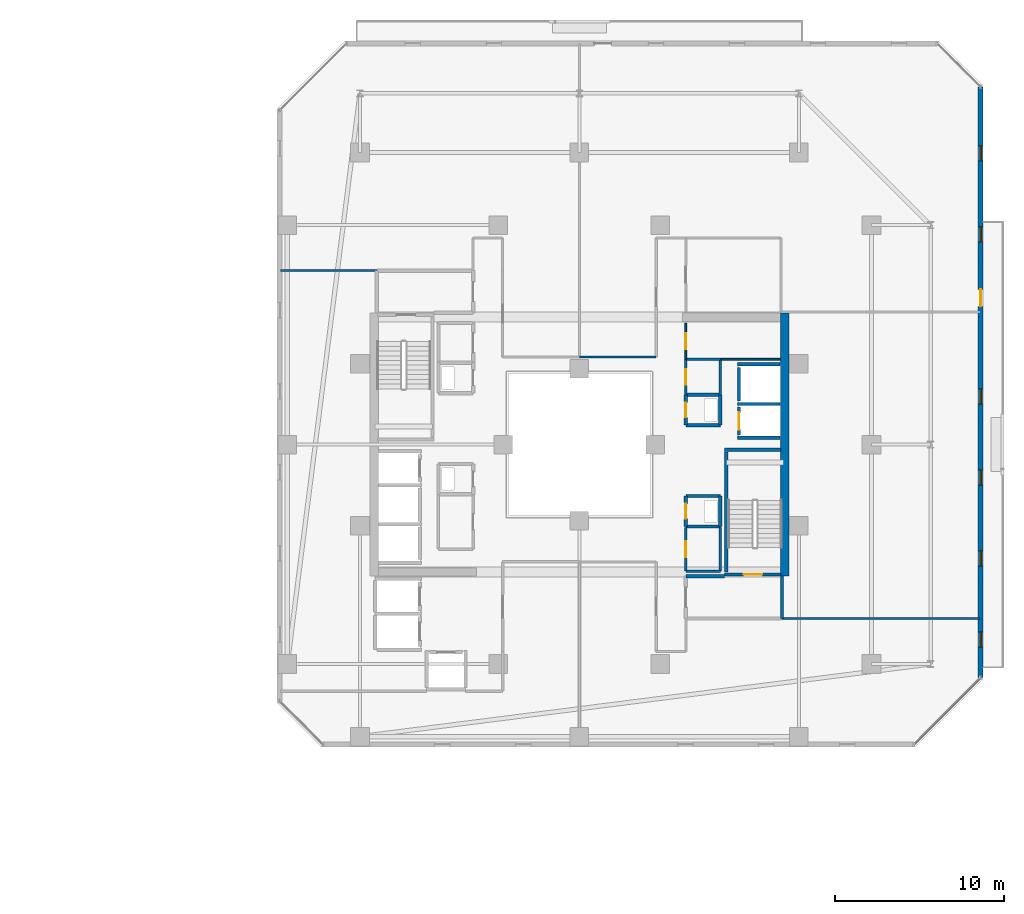
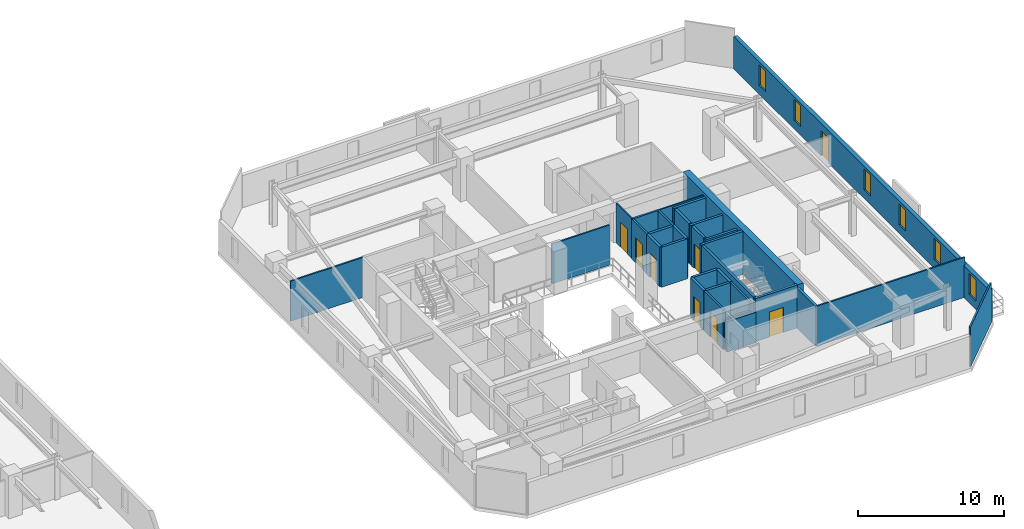
# One storey, part 24 of 32: 32 walls, 8 doors, 6 windows, 14 openings.
"""IFC4 building model written with IfcOpenShell, lengths in metres."""

from ifc_helpers import new_model, si_unit, direction, frame, frame_2d, origin, place, context, subcontext, project, spatial, rectangle, extrude, material, layer, layer_set, type_object, element, fill, save


model = new_model("IFC4")

# Units and contexts
model_context = context("Model", 3, precision=1e-05, world=origin(), true_north=direction((0.0, 1.0)))
body_context = subcontext(model_context, "Body", "Model", "MODEL_VIEW")
ifc_project = project(units=[si_unit("LENGTHUNIT", "METRE"), si_unit("AREAUNIT", "SQUARE_METRE"), si_unit("VOLUMEUNIT", "CUBIC_METRE"), si_unit("PLANEANGLEUNIT", "RADIAN"), si_unit("MASSUNIT", "GRAM", prefix="KILO")], contexts=[model_context])

# Site, building, storey
site_placement = place(None, origin())
site = spatial("IfcSite", under=ifc_project, at=site_placement, CompositionType="ELEMENT")
building_placement = place(site_placement, origin())
building = spatial("IfcBuilding", under=site, at=building_placement, Name="Thornwick Lancets Civic Towers", CompositionType="ELEMENT")
storey_placement = place(building_placement, frame((0.0, 0.0, 152.699951171875)))
storey = spatial("IfcBuildingStorey", under=building, at=storey_placement, Name="L40", CompositionType="ELEMENT", Elevation=152.699951171875)

# Wall, opening, door
ifc_material_1 = material(Name="Concrete blockwork C40/50", Category="masonry")
ifc_layer_1 = layer(ifc_material_1, 0.199951171875, Name="Concrete blockwork C40/50")
ifc_layer_set_1 = layer_set([ifc_layer_1], Name="Concrete blockwork C40/50")
wall_type_1 = type_object("IfcWallType", Name="WALL_COMP_200", PredefinedType="STANDARD", material=ifc_layer_set_1)
wall_1_placement = place(storey_placement, frame((97.949951171875, 29.219970703125, 0.0), z_axis=(0.0, 0.0, 1.0), x_axis=(0.0, -1.0, 0.0)))
wall_1 = element("IfcWall", 1, at=wall_1_placement, inside=storey, type_object=wall_type_1, Name="L40 Hoistway Front Wall FL-B1", PredefinedType="STANDARD", context=body_context, shape_type="SweptSolid", body=[
    extrude(rectangle(XDim=1.639892578125, YDim=0.199951171875, at=frame_2d((0.81982421875, 0.0))), origin(), (0.0, 0.0, 1.0), 3.340087890625),
])
opening_1_placement = place(wall_1_placement, frame((0.31005859375, 0.0, 0.0)))
opening_1 = element("IfcOpeningElement", 2, at=opening_1_placement, cuts=wall_1, Name="Opening LD-FL-B1", PredefinedType="OPENING", context=body_context, shape_type="SweptSolid", body=[
    extrude(rectangle(XDim=1.02001953125, YDim=2.06005859375, at=frame_2d((0.510009765625, 1.030029296875))), frame((0.0, 0.10986328125, 0.0), z_axis=(0.0, -1.0, 0.0), x_axis=(1.0, 0.0, 0.0)), (0.0, 0.0, 1.0), 0.219970703125),
])
ifc_material_2 = material(Name="Brushed bronze stainless steel", Category="steel")
door_type_1 = type_object("IfcDoorType", Name="DOOR_LIFT_SLIDE", OperationType="SLIDING_TO_LEFT", PredefinedType="DOOR", material=ifc_material_2)
door_1_placement = place(opening_1_placement, origin())
door_1 = element("IfcDoor", 3, at=door_1_placement, inside=storey, type_object=door_type_1, Name="L40 Sliding Lift Landing Door LD-FL-B1", OperationType="SLIDING_TO_LEFT", OverallHeight=2.06005859375, OverallWidth=1.02001953125, PredefinedType="DOOR", context=body_context, shape_type="SweptSolid", body=[
    extrude(rectangle(XDim=1.02001953125, YDim=2.06005859375, at=frame_2d((0.510009765625, 1.030029296875))), frame((0.0, 0.02490234375, 0.0), z_axis=(0.0, -1.0, 0.0), x_axis=(1.0, 0.0, 0.0)), (0.0, 0.0, 1.0), 0.050048828125),
])
fill(opening_1, door_1)

# Walls
wall_2_placement = place(storey_placement, frame((97.949951171875, 31.570068359375, 0.0), z_axis=(0.0, 0.0, 1.0), x_axis=(0.0, -1.0, 0.0)))
element("IfcWall", 4, at=wall_2_placement, inside=storey, type_object=wall_type_1, Name="L40 Hoistway Front Wall PL-BH1", PredefinedType="STANDARD", context=body_context, shape_type="SweptSolid", body=[
    extrude(rectangle(XDim=1.989990234375, YDim=0.199951171875, at=frame_2d((0.9951171875, 0.0))), origin(), (0.0, 0.0, 1.0), 3.340087890625),
])
for number, where, z_axis, x_axis, name in (
    (5, (97.85205078125, 29.39990234375, 0.0), (0.0, 0.0, 1.0), (1.0, 0.0, 0.0), "L40 Hoistway Shaft Wall FL-B1 N"),
    (6, (97.85205078125, 27.39990234375, 0.0), (0.0, 0.0, 1.0), (1.0, 0.0, 0.0), "L40 Hoistway Shaft Wall FL-B1 S"),
    (7, (97.85205078125, 31.75, 0.0), (0.0, 0.0, 1.0), (1.0, 0.0, 0.0), "L40 Hoistway Shaft Wall PL-BH1 N"),
):
    element("IfcWall", number, at=place(storey_placement, frame(where, z_axis=z_axis, x_axis=x_axis)), inside=storey, type_object=wall_type_1, Name=name, PredefinedType="STANDARD", context=body_context, shape_type="SweptSolid", body=[
        extrude(rectangle(XDim=2.535888671875, YDim=0.199951171875, at=frame_2d((1.26806640625, 0.0))), origin(), (0.0, 0.0, 1.0), 3.340087890625),
    ])
wall_3_placement = place(storey_placement, frame((100.5, 16.699951171875, 0.0), z_axis=(0.0, 0.0, 1.0), x_axis=(0.0, 1.0, 0.0)))
element("IfcWall", 8, at=wall_3_placement, inside=storey, type_object=wall_type_1, Name="L40 Partition L40-B-FFLOB1 E2", PredefinedType="STANDARD", context=body_context, shape_type="SweptSolid", body=[
    extrude(rectangle(XDim=2.5, YDim=0.199951171875, at=frame_2d((1.25, 0.0))), origin(), (0.0, 0.0, 1.0), 3.340087890625),
])
wall_4_placement = place(storey_placement, frame((97.10009765625, 19.199951171875, 0.0), z_axis=(0.0, 0.0, 1.0), x_axis=(-1.0, 0.0, 0.0)))
element("IfcWall", 9, at=wall_4_placement, inside=storey, type_object=wall_type_1, Name="L40 Partition L40-B-FFLOB1 E3", PredefinedType="STANDARD", context=body_context, shape_type="SweptSolid", body=[
    extrude(rectangle(XDim=2.300048828125, YDim=0.199951171875, at=frame_2d((1.14990234375, 0.0))), origin(), (0.0, 0.0, 1.0), 2.545166015625),
])
wall_5_placement = place(storey_placement, frame((94.800048828125, 28.14990234375, 0.0), z_axis=(0.0, 0.0, 1.0), x_axis=(1.0, 0.0, 0.0)))
element("IfcWall", 10, at=wall_5_placement, inside=storey, type_object=wall_type_1, Name="L40 Partition L40-B-DUCT1 E1", PredefinedType="STANDARD", context=body_context, shape_type="SweptSolid", body=[
    extrude(rectangle(XDim=2.050048828125, YDim=0.199951171875, at=frame_2d((1.02490234375, 0.0))), origin(), (0.0, 0.0, 1.0), 3.340087890625),
])
wall_6_placement = place(storey_placement, frame((96.85009765625, 28.14990234375, 0.0), z_axis=(0.0, 0.0, 1.0), x_axis=(0.0, 1.0, 0.0)))
element("IfcWall", 11, at=wall_6_placement, inside=storey, type_object=wall_type_1, Name="L40 Partition L40-B-DUCT1 E2", PredefinedType="STANDARD", context=body_context, shape_type="SweptSolid", body=[
    extrude(rectangle(XDim=1.800048828125, YDim=0.199951171875, at=frame_2d((0.89990234375, 0.0))), origin(), (0.0, 0.0, 1.0), 3.340087890625),
])
wall_7_placement = place(storey_placement, frame((96.85009765625, 29.949951171875, 0.0), z_axis=(0.0, 0.0, 1.0), x_axis=(-1.0, 0.0, 0.0)))
element("IfcWall", 12, at=wall_7_placement, inside=storey, type_object=wall_type_1, Name="L40 Partition L40-B-DUCT1 E3", PredefinedType="STANDARD", context=body_context, shape_type="SweptSolid", body=[
    extrude(rectangle(XDim=2.050048828125, YDim=0.199951171875, at=frame_2d((1.02490234375, 0.0))), origin(), (0.0, 0.0, 1.0), 3.340087890625),
])

# Wall, opening, door
wall_8_placement = place(storey_placement, frame((94.800048828125, 29.949951171875, 0.0), z_axis=(0.0, 0.0, 1.0), x_axis=(0.0, -1.0, 0.0)))
wall_8 = element("IfcWall", 13, at=wall_8_placement, inside=storey, type_object=wall_type_1, Name="L40 Partition L40-B-DUCT1 E4", PredefinedType="STANDARD", context=body_context, shape_type="SweptSolid", body=[
    extrude(rectangle(XDim=1.800048828125, YDim=0.199951171875, at=frame_2d((0.89990234375, 0.0))), origin(), (0.0, 0.0, 1.0), 3.340087890625),
])
opening_2_placement = place(wall_8_placement, frame((0.4599609375, 0.0, 0.0)))
opening_2 = element("IfcOpeningElement", 14, at=opening_2_placement, cuts=wall_8, Name="Opening D-L40-1806", PredefinedType="OPENING", context=body_context, shape_type="SweptSolid", body=[
    extrude(rectangle(XDim=0.8798828125, YDim=2.0400390625, at=frame_2d((0.43994140625, 1.02001953125))), frame((0.0, 0.10986328125, 0.0), z_axis=(0.0, -1.0, 0.0), x_axis=(1.0, 0.0, 0.0)), (0.0, 0.0, 1.0), 0.219970703125),
])
ifc_material_3 = material(Name="Steel riser access doorset", Category="steel")
door_type_2 = type_object("IfcDoorType", Name="DOOR_RISER_850", OperationType="NOTDEFINED", PredefinedType="DOOR", material=ifc_material_3)
door_2_placement = place(opening_2_placement, origin())
door_2 = element("IfcDoor", 15, at=door_2_placement, inside=storey, type_object=door_type_2, Name="L40 East Service Duct 1 Door", OperationType="SINGLE_SWING_LEFT", OverallHeight=2.0400390625, OverallWidth=0.8798828125, PredefinedType="DOOR", context=body_context, shape_type="SweptSolid", body=[
    extrude(rectangle(XDim=0.8798828125, YDim=2.0400390625, at=frame_2d((0.43994140625, 1.02001953125))), frame((0.0, 0.02490234375, 0.0), z_axis=(0.0, -1.0, 0.0), x_axis=(1.0, 0.0, 0.0)), (0.0, 0.0, 1.0), 0.050048828125),
])
fill(opening_2, door_2)

# Walls
wall_9_placement = place(storey_placement, frame((94.800048828125, 22.14990234375, 0.0), z_axis=(0.0, 0.0, 1.0), x_axis=(1.0, 0.0, 0.0)))
element("IfcWall", 16, at=wall_9_placement, inside=storey, type_object=wall_type_1, Name="L40 Partition L40-B-RISER1 E1", PredefinedType="STANDARD", context=body_context, shape_type="SweptSolid", body=[
    extrude(rectangle(XDim=2.050048828125, YDim=0.199951171875, at=frame_2d((1.02490234375, 0.0))), origin(), (0.0, 0.0, 1.0), 3.340087890625),
])
wall_10_placement = place(storey_placement, frame((96.85009765625, 22.14990234375, 0.0), z_axis=(0.0, 0.0, 1.0), x_axis=(0.0, 1.0, 0.0)))
element("IfcWall", 17, at=wall_10_placement, inside=storey, type_object=wall_type_1, Name="L40 Partition L40-B-RISER1 E2", PredefinedType="STANDARD", context=body_context, shape_type="SweptSolid", body=[
    extrude(rectangle(XDim=1.800048828125, YDim=0.199951171875, at=frame_2d((0.89990234375, 0.0))), origin(), (0.0, 0.0, 1.0), 3.340087890625),
])
wall_11_placement = place(storey_placement, frame((96.85009765625, 23.949951171875, 0.0), z_axis=(0.0, 0.0, 1.0), x_axis=(-1.0, 0.0, 0.0)))
element("IfcWall", 18, at=wall_11_placement, inside=storey, type_object=wall_type_1, Name="L40 Partition L40-B-RISER1 E3", PredefinedType="STANDARD", context=body_context, shape_type="SweptSolid", body=[
    extrude(rectangle(XDim=2.050048828125, YDim=0.199951171875, at=frame_2d((1.02490234375, 0.0))), origin(), (0.0, 0.0, 1.0), 3.340087890625),
])

# Wall, opening, door
wall_12_placement = place(storey_placement, frame((94.800048828125, 23.949951171875, 0.0), z_axis=(0.0, 0.0, 1.0), x_axis=(0.0, -1.0, 0.0)))
wall_12 = element("IfcWall", 19, at=wall_12_placement, inside=storey, type_object=wall_type_1, Name="L40 Partition L40-B-RISER1 E4", PredefinedType="STANDARD", context=body_context, shape_type="SweptSolid", body=[
    extrude(rectangle(XDim=1.800048828125, YDim=0.199951171875, at=frame_2d((0.89990234375, 0.0))), origin(), (0.0, 0.0, 1.0), 3.340087890625),
])
opening_3_placement = place(wall_12_placement, frame((0.4599609375, 0.0, 0.0)))
opening_3 = element("IfcOpeningElement", 20, at=opening_3_placement, cuts=wall_12, Name="Opening D-L40-1807", PredefinedType="OPENING", context=body_context, shape_type="SweptSolid", body=[
    extrude(rectangle(XDim=0.8798828125, YDim=2.0400390625, at=frame_2d((0.43994140625, 1.02001953125))), frame((0.0, 0.10986328125, 0.0), z_axis=(0.0, -1.0, 0.0), x_axis=(1.0, 0.0, 0.0)), (0.0, 0.0, 1.0), 0.219970703125),
])
door_3_placement = place(opening_3_placement, origin())
door_3 = element("IfcDoor", 21, at=door_3_placement, inside=storey, type_object=door_type_2, Name="L40 East Electrical Riser 1 Door", OperationType="SINGLE_SWING_RIGHT", OverallHeight=2.0400390625, OverallWidth=0.8798828125, PredefinedType="DOOR", context=body_context, shape_type="SweptSolid", body=[
    extrude(rectangle(XDim=0.8798828125, YDim=2.0400390625, at=frame_2d((0.43994140625, 1.02001953125))), frame((0.0, 0.02490234375, 0.0), z_axis=(0.0, -1.0, 0.0), x_axis=(1.0, 0.0, 0.0)), (0.0, 0.0, 1.0), 0.050048828125),
])
fill(opening_3, door_3)

# Wall
ifc_material_4 = material(Name="Concrete C50/60", Category="concrete")
ifc_layer_2 = layer(ifc_material_4, 0.5, Name="Concrete C50/60")
ifc_layer_set_2 = layer_set([ifc_layer_2], Name="Concrete C50/60")
wall_type_2 = type_object("IfcWallType", Name="WALL_CORE_500", PredefinedType="SHEAR", material=ifc_layer_set_2)
wall_13_placement = place(storey_placement, frame((100.64990234375, 19.199951171875, 0.0), z_axis=(0.0, 0.0, 1.0), x_axis=(0.0, 1.0, 0.0)))
element("IfcWall", 22, at=wall_13_placement, inside=storey, type_object=wall_type_2, Name="L40 Split Core B1 Shear Wall E", PredefinedType="SHEAR", context=body_context, shape_type="SweptSolid", body=[
    extrude(rectangle(XDim=15.60009765625, YDim=0.5, at=frame_2d((7.800048828125, 0.0))), origin(), (0.0, 0.0, 1.0), 3.60009765625),
])

# Wall, openings, door, windows
ifc_material_5 = material(Name="Insulated russet terracotta rainscreen on concrete C40/50", Category="masonry")
ifc_layer_3 = layer(ifc_material_5, 0.300048828125, Name="Insulated russet terracotta rainscreen on concrete C40/50")
ifc_layer_set_3 = layer_set([ifc_layer_3], Name="Insulated russet terracotta rainscreen on concrete C40/50")
wall_type_3 = type_object("IfcWallType", Name="WALL_EXT_RUSSET_300", PredefinedType="STANDARD", material=ifc_layer_set_3)
wall_14_placement = place(storey_placement, frame((112.260009765625, 13.1982421875, 0.0), z_axis=(0.0, 0.0, 1.0), x_axis=(0.000132597301, 0.999999991209, 0.0)))
wall_14 = element("IfcWall", 23, at=wall_14_placement, inside=storey, type_object=wall_type_3, Name="L40 Tower B Terracotta Facade Wall E2", PredefinedType="STANDARD", context=body_context, shape_type="SweptSolid", body=[
    extrude(rectangle(XDim=34.983154296875, YDim=0.300048828125, at=frame_2d((17.49169921875, 0.0))), origin(), (0.0, 0.0, 1.0), 2.699951171875),
])
opening_4_placement = place(wall_14_placement, frame((21.99169921875, 0.0, 0.0)))
opening_4 = element("IfcOpeningElement", 24, at=opening_4_placement, cuts=wall_14, Name="Opening D-BL-L40-BE", PredefinedType="OPENING", context=body_context, shape_type="SweptSolid", body=[
    extrude(rectangle(XDim=1.0, YDim=2.080078125, at=frame_2d((0.5, 1.0400390625))), frame((0.0, 0.16015625, 0.0), z_axis=(0.0, -1.0, 0.0), x_axis=(1.0, 0.0, 0.0)), (0.0, 0.0, 1.0), 0.320068359375),
])
opening_5_placement = place(wall_14_placement, frame((1.800048828125, 0.0, 0.719970703125)))
opening_5 = element("IfcOpeningElement", 25, at=opening_5_placement, cuts=wall_14, Name="Opening WL-01", PredefinedType="OPENING", context=body_context, shape_type="SweptSolid", body=[
    extrude(rectangle(XDim=0.89990234375, YDim=1.75, at=frame_2d((0.449951171875, 0.875))), frame((0.0, 0.16015625, 0.0), z_axis=(0.0, -1.0, 0.0), x_axis=(1.0, 0.0, 0.0)), (0.0, 0.0, 1.0), 0.320068359375),
])
opening_6_placement = place(wall_14_placement, frame((6.60009765625, 0.0, 0.719970703125)))
opening_6 = element("IfcOpeningElement", 26, at=opening_6_placement, cuts=wall_14, Name="Opening WL-01", PredefinedType="OPENING", context=body_context, shape_type="SweptSolid", body=[
    extrude(rectangle(XDim=0.89990234375, YDim=1.75, at=frame_2d((0.449951171875, 0.875))), frame((0.0, 0.16015625, 0.0), z_axis=(0.0, -1.0, 0.0), x_axis=(1.0, 0.0, 0.0)), (0.0, 0.0, 1.0), 0.320068359375),
])
opening_7_placement = place(wall_14_placement, frame((11.39990234375, 0.0, 0.719970703125)))
opening_7 = element("IfcOpeningElement", 27, at=opening_7_placement, cuts=wall_14, Name="Opening WL-01", PredefinedType="OPENING", context=body_context, shape_type="SweptSolid", body=[
    extrude(rectangle(XDim=0.89990234375, YDim=1.75, at=frame_2d((0.449951171875, 0.875))), frame((0.0, 0.16015625, 0.0), z_axis=(0.0, -1.0, 0.0), x_axis=(1.0, 0.0, 0.0)), (0.0, 0.0, 1.0), 0.320068359375),
])
opening_8_placement = place(wall_14_placement, frame((16.199951171875, 0.0, 0.719970703125)))
opening_8 = element("IfcOpeningElement", 28, at=opening_8_placement, cuts=wall_14, Name="Opening WL-01", PredefinedType="OPENING", context=body_context, shape_type="SweptSolid", body=[
    extrude(rectangle(XDim=0.89990234375, YDim=1.75, at=frame_2d((0.449951171875, 0.875))), frame((0.0, 0.16015625, 0.0), z_axis=(0.0, -1.0, 0.0), x_axis=(1.0, 0.0, 0.0)), (0.0, 0.0, 1.0), 0.320068359375),
])
opening_9_placement = place(wall_14_placement, frame((25.800048828125, 0.0, 0.719970703125)))
opening_9 = element("IfcOpeningElement", 29, at=opening_9_placement, cuts=wall_14, Name="Opening WL-01", PredefinedType="OPENING", context=body_context, shape_type="SweptSolid", body=[
    extrude(rectangle(XDim=0.89990234375, YDim=1.75, at=frame_2d((0.449951171875, 0.875))), frame((0.0, 0.16015625, 0.0), z_axis=(0.0, -1.0, 0.0), x_axis=(1.0, 0.0, 0.0)), (0.0, 0.0, 1.0), 0.320068359375),
])
opening_10_placement = place(wall_14_placement, frame((30.60009765625, 0.0, 0.719970703125)))
opening_10 = element("IfcOpeningElement", 30, at=opening_10_placement, cuts=wall_14, Name="Opening WL-01", PredefinedType="OPENING", context=body_context, shape_type="SweptSolid", body=[
    extrude(rectangle(XDim=0.89990234375, YDim=1.75, at=frame_2d((0.449951171875, 0.875))), frame((0.0, 0.16015625, 0.0), z_axis=(0.0, -1.0, 0.0), x_axis=(1.0, 0.0, 0.0)), (0.0, 0.0, 1.0), 0.320068359375),
])
ifc_material_6 = material(Name="Thermally broken glazed loggia doorset")
door_type_3 = type_object("IfcDoorType", Name="DOOR_BALC_1000", OperationType="NOTDEFINED", PredefinedType="DOOR", material=ifc_material_6)
door_4_placement = place(opening_4_placement, origin())
door_4 = element("IfcDoor", 31, at=door_4_placement, inside=storey, type_object=door_type_3, Name="L40 Tower B Loggia Balcony Door E", OperationType="SINGLE_SWING_LEFT", OverallHeight=2.080078125, OverallWidth=1.0, PredefinedType="DOOR", context=body_context, shape_type="SweptSolid", body=[
    extrude(rectangle(XDim=1.0, YDim=2.080078125, at=frame_2d((0.5, 1.0400390625))), frame((0.0, 0.02490234375, 0.0), z_axis=(0.0, -1.0, 0.0), x_axis=(1.0, 0.0, 0.0)), (0.0, 0.0, 1.0), 0.050048828125),
])
fill(opening_4, door_4)
ifc_material_7 = material(Name="Clear low-e double glazing in bronze frame", Category="glass")
window_type = type_object("IfcWindowType", Name="WIN_LANCET_900", PartitioningType="SINGLE_PANEL", PredefinedType="WINDOW", material=ifc_material_7)
window_1_placement = place(opening_5_placement, origin())
window_1 = element("IfcWindow", 32, at=window_1_placement, inside=storey, type_object=window_type, Name="L40 Tower B Staggered Lancet Window E2-1", OverallHeight=1.75, OverallWidth=0.89990234375, PartitioningType="SINGLE_PANEL", PredefinedType="WINDOW", context=body_context, shape_type="SweptSolid", body=[
    extrude(rectangle(XDim=0.89990234375, YDim=1.75, at=frame_2d((0.449951171875, 0.875))), frame((0.0, 0.030029296875, 0.0), z_axis=(0.0, -1.0, 0.0), x_axis=(1.0, 0.0, 0.0)), (0.0, 0.0, 1.0), 0.06005859375),
])
fill(opening_5, window_1)
window_2_placement = place(opening_6_placement, origin())
window_2 = element("IfcWindow", 33, at=window_2_placement, inside=storey, type_object=window_type, Name="L40 Tower B Staggered Lancet Window E2-2", OverallHeight=1.75, OverallWidth=0.89990234375, PartitioningType="SINGLE_PANEL", PredefinedType="WINDOW", context=body_context, shape_type="SweptSolid", body=[
    extrude(rectangle(XDim=0.89990234375, YDim=1.75, at=frame_2d((0.449951171875, 0.875))), frame((0.0, 0.030029296875, 0.0), z_axis=(0.0, -1.0, 0.0), x_axis=(1.0, 0.0, 0.0)), (0.0, 0.0, 1.0), 0.06005859375),
])
fill(opening_6, window_2)
window_3_placement = place(opening_7_placement, origin())
window_3 = element("IfcWindow", 34, at=window_3_placement, inside=storey, type_object=window_type, Name="L40 Tower B Staggered Lancet Window E2-3", OverallHeight=1.75, OverallWidth=0.89990234375, PartitioningType="SINGLE_PANEL", PredefinedType="WINDOW", context=body_context, shape_type="SweptSolid", body=[
    extrude(rectangle(XDim=0.89990234375, YDim=1.75, at=frame_2d((0.449951171875, 0.875))), frame((0.0, 0.030029296875, 0.0), z_axis=(0.0, -1.0, 0.0), x_axis=(1.0, 0.0, 0.0)), (0.0, 0.0, 1.0), 0.06005859375),
])
fill(opening_7, window_3)
window_4_placement = place(opening_8_placement, origin())
window_4 = element("IfcWindow", 35, at=window_4_placement, inside=storey, type_object=window_type, Name="L40 Tower B Staggered Lancet Window E2-4", OverallHeight=1.75, OverallWidth=0.89990234375, PartitioningType="SINGLE_PANEL", PredefinedType="WINDOW", context=body_context, shape_type="SweptSolid", body=[
    extrude(rectangle(XDim=0.89990234375, YDim=1.75, at=frame_2d((0.449951171875, 0.875))), frame((0.0, 0.030029296875, 0.0), z_axis=(0.0, -1.0, 0.0), x_axis=(1.0, 0.0, 0.0)), (0.0, 0.0, 1.0), 0.06005859375),
])
fill(opening_8, window_4)
window_5_placement = place(opening_9_placement, origin())
window_5 = element("IfcWindow", 36, at=window_5_placement, inside=storey, type_object=window_type, Name="L40 Tower B Staggered Lancet Window E2-5", OverallHeight=1.75, OverallWidth=0.89990234375, PartitioningType="SINGLE_PANEL", PredefinedType="WINDOW", context=body_context, shape_type="SweptSolid", body=[
    extrude(rectangle(XDim=0.89990234375, YDim=1.75, at=frame_2d((0.449951171875, 0.875))), frame((0.0, 0.030029296875, 0.0), z_axis=(0.0, -1.0, 0.0), x_axis=(1.0, 0.0, 0.0)), (0.0, 0.0, 1.0), 0.06005859375),
])
fill(opening_9, window_5)
window_6_placement = place(opening_10_placement, origin())
window_6 = element("IfcWindow", 37, at=window_6_placement, inside=storey, type_object=window_type, Name="L40 Tower B Staggered Lancet Window E2-6", OverallHeight=1.75, OverallWidth=0.89990234375, PartitioningType="SINGLE_PANEL", PredefinedType="WINDOW", context=body_context, shape_type="SweptSolid", body=[
    extrude(rectangle(XDim=0.89990234375, YDim=1.75, at=frame_2d((0.449951171875, 0.875))), frame((0.0, 0.030029296875, 0.0), z_axis=(0.0, -1.0, 0.0), x_axis=(1.0, 0.0, 0.0)), (0.0, 0.0, 1.0), 0.06005859375),
])
fill(opening_10, window_6)

# Wall, opening, door
ifc_material_8 = material(Name="Lightweight cellular office partition")
ifc_layer_4 = layer(ifc_material_8, 0.10009765625, Name="Lightweight cellular office partition")
ifc_layer_set_4 = layer_set([ifc_layer_4], Name="Lightweight cellular office partition")
wall_type_4 = type_object("IfcWallType", Name="WALL_PART_100", PredefinedType="PARTITIONING", material=ifc_layer_set_4)
wall_15_placement = place(storey_placement, frame((94.800048828125, 32.050048828125, 0.0), z_axis=(0.0, 0.0, 1.0), x_axis=(0.0, 1.0, 0.0)))
wall_15 = element("IfcWall", 38, at=wall_15_placement, inside=storey, type_object=wall_type_4, Name="L40 Partition L40-B-CLN E1", PredefinedType="PARTITIONING", context=body_context, shape_type="SweptSolid", body=[
    extrude(rectangle(XDim=2.14990234375, YDim=0.10009765625, at=frame_2d((1.074951171875, 0.0))), origin(), (0.0, 0.0, 1.0), 3.340087890625),
])
opening_11_placement = place(wall_15_placement, frame((0.60009765625, 0.0, 0.0)))
opening_11 = element("IfcOpeningElement", 39, at=opening_11_placement, cuts=wall_15, Name="Opening D-L40-1812", PredefinedType="OPENING", context=body_context, shape_type="SweptSolid", body=[
    extrude(rectangle(XDim=0.949951171875, YDim=2.10009765625, at=frame_2d((0.47509765625, 1.050048828125))), frame((0.0, 0.06005859375, 0.0), z_axis=(0.0, -1.0, 0.0), x_axis=(1.0, 0.0, 0.0)), (0.0, 0.0, 1.0), 0.1201171875),
])
ifc_material_9 = material(Name="European oak acoustic doorset")
door_type_4 = type_object("IfcDoorType", Name="DOOR_OFFICE_950", OperationType="NOTDEFINED", PredefinedType="DOOR", material=ifc_material_9)
door_5_placement = place(opening_11_placement, origin())
door_5 = element("IfcDoor", 40, at=door_5_placement, inside=storey, type_object=door_type_4, Name="L40 Tower B Cleaners Store Door", OperationType="SINGLE_SWING_LEFT", OverallHeight=2.10009765625, OverallWidth=0.949951171875, PredefinedType="DOOR", context=body_context, shape_type="SweptSolid", body=[
    extrude(rectangle(XDim=0.949951171875, YDim=2.10009765625, at=frame_2d((0.47509765625, 1.050048828125))), frame((0.0, 0.02490234375, 0.0), z_axis=(0.0, -1.0, 0.0), x_axis=(1.0, 0.0, 0.0)), (0.0, 0.0, 1.0), 0.050048828125),
])
fill(opening_11, door_5)

# Walls
wall_16_placement = place(storey_placement, frame((100.39990234375, 32.050048828125, 0.0), z_axis=(0.0, 0.0, 1.0), x_axis=(-1.0, 0.0, 0.0)))
element("IfcWall", 41, at=wall_16_placement, inside=storey, type_object=wall_type_4, Name="L40 Partition L40-B-CLN E4", PredefinedType="PARTITIONING", context=body_context, shape_type="SweptSolid", body=[
    extrude(rectangle(XDim=3.5498046875, YDim=0.10009765625, at=frame_2d((1.77490234375, 0.0))), origin(), (0.0, 0.0, 1.0), 3.340087890625),
])
ifc_material_10 = material(Name="Acoustic gypsum board partition")
ifc_layer_5 = layer(ifc_material_10, 0.1201171875, Name="Acoustic gypsum board partition")
ifc_layer_set_5 = layer_set([ifc_layer_5], Name="Acoustic gypsum board partition")
wall_type_5 = type_object("IfcWallType", Name="WALL_PART_120", PredefinedType="PARTITIONING", material=ifc_layer_set_5)
wall_17_placement = place(storey_placement, frame((100.5, 16.699951171875, 0.0), z_axis=(0.0, 0.0, 1.0), x_axis=(1.0, 0.0, 0.0)))
element("IfcWall", 42, at=wall_17_placement, inside=storey, type_object=wall_type_5, Name="L40 Partition L40-B-W1 E8", PredefinedType="PARTITIONING", context=body_context, shape_type="SweptSolid", body=[
    extrude(rectangle(XDim=11.719970703125, YDim=0.1201171875, at=frame_2d((5.85986328125, 0.0))), origin(), (0.0, 0.0, 1.0), 3.340087890625),
])
wall_18_placement = place(storey_placement, frame((112.219970703125, 13.15966796875, 0.0), z_axis=(0.0, 0.0, 1.0), x_axis=(-0.707106781187, -0.707106781187, 0.0)))
element("IfcWall", 43, at=wall_18_placement, inside=storey, type_object=wall_type_5, Name="L40 Partition L40-B-W1 E10", PredefinedType="PARTITIONING", context=body_context, shape_type="SweptSolid", body=[
    extrude(rectangle(XDim=5.486572265625, YDim=0.1201171875, at=frame_2d((2.7431640625, 0.0))), origin(), (0.0, 0.0, 1.0), 3.340087890625),
])
wall_19_placement = place(storey_placement, frame((93.050048828125, 32.199951171875, 0.0), z_axis=(0.0, 0.0, 1.0), x_axis=(-1.0, 0.0, 0.0)))
element("IfcWall", 44, at=wall_19_placement, inside=storey, type_object=wall_type_5, Name="L40 Partition L40-B-E1 E5", PredefinedType="PARTITIONING", context=body_context, shape_type="SweptSolid", body=[
    extrude(rectangle(XDim=4.550048828125, YDim=0.1201171875, at=frame_2d((2.27490234375, 0.0))), origin(), (0.0, 0.0, 1.0), 3.340087890625),
])
wall_20_placement = place(storey_placement, frame((76.5, 37.300048828125, 0.0), z_axis=(0.0, 0.0, 1.0), x_axis=(-1.0, 0.0, 0.0)))
element("IfcWall", 45, at=wall_20_placement, inside=storey, type_object=wall_type_5, Name="L40 Partition L40-B-E3 E6", PredefinedType="PARTITIONING", context=body_context, shape_type="SweptSolid", body=[
    extrude(rectangle(XDim=5.719970703125, YDim=0.1201171875, at=frame_2d((2.85986328125, 0.0))), origin(), (0.0, 0.0, 1.0), 3.340087890625),
])
ifc_material_11 = material(Name="Twin-stud acoustic gypsum board")
ifc_layer_6 = layer(ifc_material_11, 0.14990234375, Name="Twin-stud acoustic gypsum board")
ifc_layer_set_6 = layer_set([ifc_layer_6], Name="Twin-stud acoustic gypsum board")
wall_type_6 = type_object("IfcWallType", Name="WALL_PART_150", PredefinedType="PARTITIONING", material=ifc_layer_set_6)
wall_21_placement = place(storey_placement, frame((94.800048828125, 19.5, 0.0), z_axis=(0.0, 0.0, 1.0), x_axis=(1.0, 0.0, 0.0)))
element("IfcWall", 46, at=wall_21_placement, inside=storey, type_object=wall_type_6, Name="L40 Partition L40-B-AWC E1", PredefinedType="PARTITIONING", context=body_context, shape_type="SweptSolid", body=[
    extrude(rectangle(XDim=2.050048828125, YDim=0.14990234375, at=frame_2d((1.02490234375, 0.0))), origin(), (0.0, 0.0, 1.0), 2.545166015625),
])
wall_22_placement = place(storey_placement, frame((96.85009765625, 19.5, 0.0), z_axis=(0.0, 0.0, 1.0), x_axis=(0.0, 1.0, 0.0)))
element("IfcWall", 47, at=wall_22_placement, inside=storey, type_object=wall_type_6, Name="L40 Partition L40-B-AWC E2", PredefinedType="PARTITIONING", context=body_context, shape_type="SweptSolid", body=[
    extrude(rectangle(XDim=2.60009765625, YDim=0.14990234375, at=frame_2d((1.300048828125, 0.0))), origin(), (0.0, 0.0, 1.0), 3.340087890625),
])

# Wall, opening, door
wall_23_placement = place(storey_placement, frame((94.800048828125, 22.10009765625, 0.0), z_axis=(0.0, 0.0, 1.0), x_axis=(0.0, -1.0, 0.0)))
wall_23 = element("IfcWall", 48, at=wall_23_placement, inside=storey, type_object=wall_type_6, Name="L40 Partition L40-B-AWC E4", PredefinedType="PARTITIONING", context=body_context, shape_type="SweptSolid", body=[
    extrude(rectangle(XDim=2.60009765625, YDim=0.14990234375, at=frame_2d((1.300048828125, 0.0))), origin(), (0.0, 0.0, 1.0), 3.340087890625),
])
opening_12_placement = place(wall_23_placement, frame((0.840087890625, 0.0, 0.0)))
opening_12 = element("IfcOpeningElement", 49, at=opening_12_placement, cuts=wall_23, Name="Opening D-L40-1810", PredefinedType="OPENING", context=body_context, shape_type="SweptSolid", body=[
    extrude(rectangle(XDim=0.919921875, YDim=2.080078125, at=frame_2d((0.4599609375, 1.0400390625))), frame((0.0, 0.0849609375, 0.0), z_axis=(0.0, -1.0, 0.0), x_axis=(1.0, 0.0, 0.0)), (0.0, 0.0, 1.0), 0.169921875),
])
ifc_material_12 = material(Name="Moisture-resistant oak doorset")
door_type_5 = type_object("IfcDoorType", Name="DOOR_WC_900", OperationType="NOTDEFINED", PredefinedType="DOOR", material=ifc_material_12)
door_6_placement = place(opening_12_placement, origin())
door_6 = element("IfcDoor", 50, at=door_6_placement, inside=storey, type_object=door_type_5, Name="L40 Tower B Accessible WC Door", OperationType="SINGLE_SWING_LEFT", OverallHeight=2.080078125, OverallWidth=0.919921875, PredefinedType="DOOR", context=body_context, shape_type="SweptSolid", body=[
    extrude(rectangle(XDim=0.919921875, YDim=2.080078125, at=frame_2d((0.4599609375, 1.0400390625))), frame((0.0, 0.02490234375, 0.0), z_axis=(0.0, -1.0, 0.0), x_axis=(1.0, 0.0, 0.0)), (0.0, 0.0, 1.0), 0.050048828125),
])
fill(opening_12, door_6)

wall_24_placement = place(storey_placement, frame((94.800048828125, 29.949951171875, 0.0), z_axis=(0.0, 0.0, 1.0), x_axis=(0.0, 1.0, 0.0)))
wall_24 = element("IfcWall", 51, at=wall_24_placement, inside=storey, type_object=wall_type_6, Name="L40 Partition L40-B-MWC E1", PredefinedType="PARTITIONING", context=body_context, shape_type="SweptSolid", body=[
    extrude(rectangle(XDim=2.10009765625, YDim=0.14990234375, at=frame_2d((1.050048828125, 0.0))), origin(), (0.0, 0.0, 1.0), 3.340087890625),
])
opening_13_placement = place(wall_24_placement, frame((0.590087890625, 0.0, 0.0)))
opening_13 = element("IfcOpeningElement", 52, at=opening_13_placement, cuts=wall_24, Name="Opening D-L40-1811", PredefinedType="OPENING", context=body_context, shape_type="SweptSolid", body=[
    extrude(rectangle(XDim=0.919921875, YDim=2.080078125, at=frame_2d((0.4599609375, 1.0400390625))), frame((0.0, 0.0849609375, 0.0), z_axis=(0.0, -1.0, 0.0), x_axis=(1.0, 0.0, 0.0)), (0.0, 0.0, 1.0), 0.169921875),
])
door_7_placement = place(opening_13_placement, origin())
door_7 = element("IfcDoor", 53, at=door_7_placement, inside=storey, type_object=door_type_5, Name="L40 Tower B Male WC Door", OperationType="SINGLE_SWING_RIGHT", OverallHeight=2.080078125, OverallWidth=0.919921875, PredefinedType="DOOR", context=body_context, shape_type="SweptSolid", body=[
    extrude(rectangle(XDim=0.919921875, YDim=2.080078125, at=frame_2d((0.4599609375, 1.0400390625))), frame((0.0, 0.02490234375, 0.0), z_axis=(0.0, -1.0, 0.0), x_axis=(1.0, 0.0, 0.0)), (0.0, 0.0, 1.0), 0.050048828125),
])
fill(opening_13, door_7)

# Walls
wall_25_placement = place(storey_placement, frame((94.800048828125, 32.050048828125, 0.0), z_axis=(0.0, 0.0, 1.0), x_axis=(1.0, 0.0, 0.0)))
element("IfcWall", 54, at=wall_25_placement, inside=storey, type_object=wall_type_6, Name="L40 Partition L40-B-MWC E2", PredefinedType="PARTITIONING", context=body_context, shape_type="SweptSolid", body=[
    extrude(rectangle(XDim=2.050048828125, YDim=0.14990234375, at=frame_2d((1.02490234375, 0.0))), origin(), (0.0, 0.0, 1.0), 3.340087890625),
])
wall_26_placement = place(storey_placement, frame((96.85009765625, 32.050048828125, 0.0), z_axis=(0.0, 0.0, 1.0), x_axis=(0.0, -1.0, 0.0)))
element("IfcWall", 55, at=wall_26_placement, inside=storey, type_object=wall_type_6, Name="L40 Partition L40-B-MWC E3", PredefinedType="PARTITIONING", context=body_context, shape_type="SweptSolid", body=[
    extrude(rectangle(XDim=2.10009765625, YDim=0.14990234375, at=frame_2d((1.050048828125, 0.0))), origin(), (0.0, 0.0, 1.0), 3.340087890625),
])

# Wall, opening, door
ifc_material_13 = material(Name="Concrete C40/50", Category="concrete")
ifc_layer_7 = layer(ifc_material_13, 0.199951171875, Name="Concrete C40/50")
ifc_layer_set_7 = layer_set([ifc_layer_7], Name="Concrete C40/50")
wall_type_7 = type_object("IfcWallType", Name="WALL_SHAFT_200", PredefinedType="SHEAR", material=ifc_layer_set_7)
wall_27_placement = place(storey_placement, frame((100.449951171875, 19.300048828125, 0.0), z_axis=(0.0, 0.0, 1.0), x_axis=(-1.0, 0.0, 0.0)))
wall_27 = element("IfcWall", 56, at=wall_27_placement, inside=storey, type_object=wall_type_7, Name="L40 ST-B1 Fire Stair Core Wall NEAR", PredefinedType="SHEAR", context=body_context, shape_type="SweptSolid", body=[
    extrude(rectangle(XDim=3.349853515625, YDim=0.199951171875, at=frame_2d((1.6748046875, 0.0))), origin(), (0.0, 0.0, 1.0), 3.60009765625),
])
opening_14_placement = place(wall_27_placement, frame((1.125, 0.0, 0.0)))
opening_14 = element("IfcOpeningElement", 57, at=opening_14_placement, cuts=wall_27, Name="Opening D-ST-B1-L40", PredefinedType="OPENING", context=body_context, shape_type="SweptSolid", body=[
    extrude(rectangle(XDim=1.10009765625, YDim=2.10009765625, at=frame_2d((0.550048828125, 1.050048828125))), frame((0.0, 0.10986328125, 0.0), z_axis=(0.0, -1.0, 0.0), x_axis=(1.0, 0.0, 0.0)), (0.0, 0.0, 1.0), 0.219970703125),
])
ifc_material_14 = material(Name="Fire-resisting steel and hardwood", Category="steel")
door_type_6 = type_object("IfcDoorType", Name="DOOR_STAIR_FD60", OperationType="NOTDEFINED", PredefinedType="DOOR", material=ifc_material_14)
door_8_placement = place(opening_14_placement, origin())
door_8 = element("IfcDoor", 58, at=door_8_placement, inside=storey, type_object=door_type_6, Name="L40 ST-B1 Exit Stair Door", OperationType="SINGLE_SWING_RIGHT", OverallHeight=2.10009765625, OverallWidth=1.10009765625, PredefinedType="DOOR", context=body_context, shape_type="SweptSolid", body=[
    extrude(rectangle(XDim=1.10009765625, YDim=2.10009765625, at=frame_2d((0.550048828125, 1.050048828125))), frame((0.0, 0.02490234375, 0.0), z_axis=(0.0, -1.0, 0.0), x_axis=(1.0, 0.0, 0.0)), (0.0, 0.0, 1.0), 0.050048828125),
])
fill(opening_14, door_8)

# Walls
wall_28_placement = place(storey_placement, frame((97.10009765625, 26.699951171875, 0.0), z_axis=(0.0, 0.0, 1.0), x_axis=(1.0, 0.0, 0.0)))
element("IfcWall", 59, at=wall_28_placement, inside=storey, type_object=wall_type_7, Name="L40 ST-B1 Fire Stair Core Wall FAR", PredefinedType="SHEAR", context=body_context, shape_type="SweptSolid", body=[
    extrude(rectangle(XDim=3.349853515625, YDim=0.199951171875, at=frame_2d((1.6748046875, 0.0))), origin(), (0.0, 0.0, 1.0), 3.60009765625),
])
wall_29_placement = place(storey_placement, frame((97.202880859375, 26.550048828125, 0.0), z_axis=(0.0, 0.0, 1.0), x_axis=(0.0, -1.0, 0.0)))
element("IfcWall", 60, at=wall_29_placement, inside=storey, type_object=wall_type_7, Name="L40 ST-B1 Fire Stair Core Wall RIGHT", PredefinedType="SHEAR", context=body_context, shape_type="SweptSolid", body=[
    extrude(rectangle(XDim=7.10009765625, YDim=0.199951171875, at=frame_2d((3.550048828125, 0.0))), origin(), (0.0, 0.0, 1.0), 3.60009765625),
])

save(model, "model.ifc")
